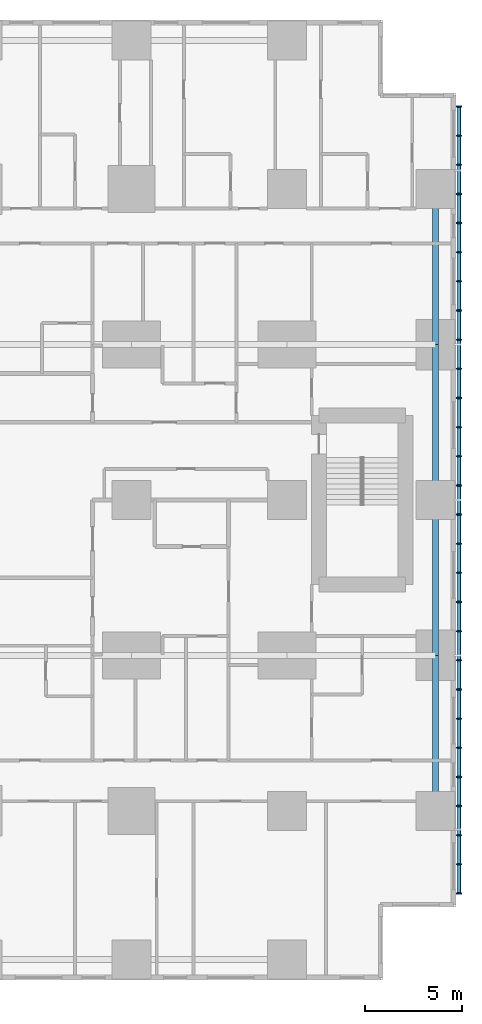
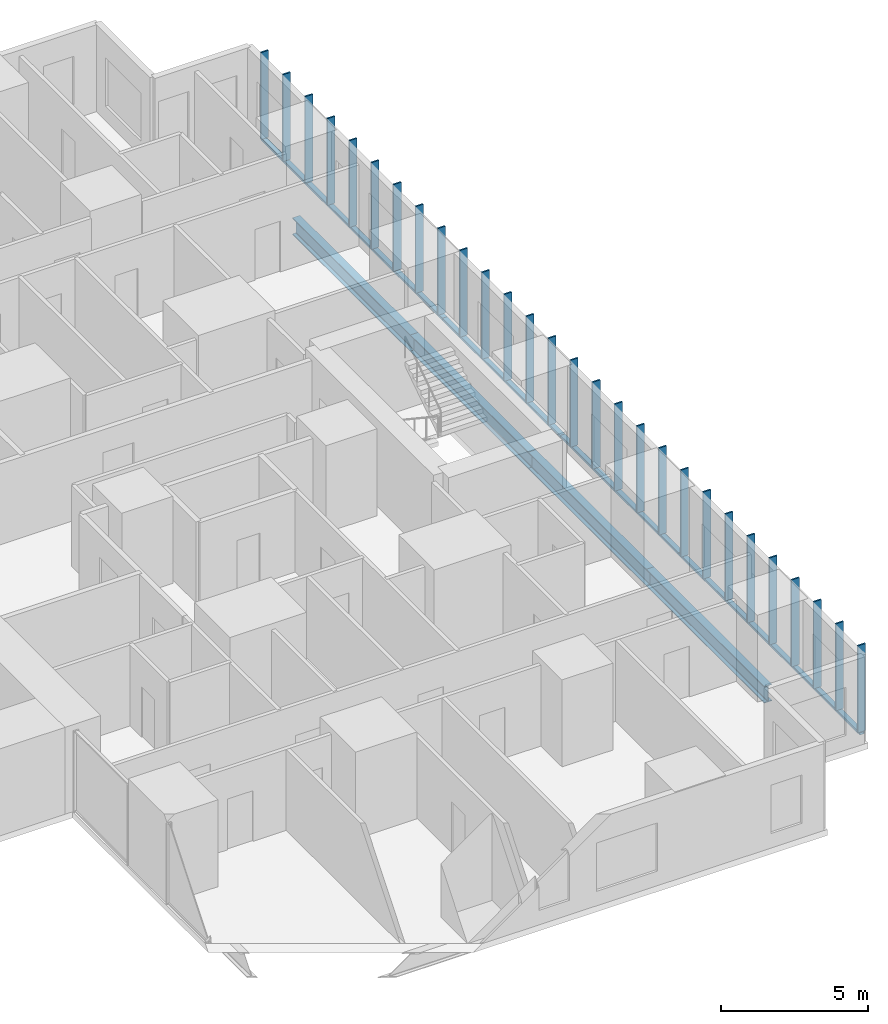
# One storey, part 6 of 21: 32 members, 4 beams.
"""IFC4 building model written with IfcOpenShell, lengths in metres."""

from ifc_helpers import new_model, si_unit, direction, frame, origin, origin_2d, place, context, subcontext, project, spatial, rectangle, hollow_rectangle, i_section, extrude, material, material_profile, profile_set, type_object, element, save


model = new_model("IFC4")

# Units and contexts
model_context = context("Model", 3, precision=1e-05, world=origin(), true_north=direction((0.0, 1.0)))
body_context = subcontext(model_context, "Body", "Model", "MODEL_VIEW")
ifc_project = project(units=[si_unit("LENGTHUNIT", "METRE"), si_unit("AREAUNIT", "SQUARE_METRE"), si_unit("VOLUMEUNIT", "CUBIC_METRE"), si_unit("PLANEANGLEUNIT", "RADIAN"), si_unit("MASSUNIT", "GRAM", prefix="KILO")], contexts=[model_context])

# Site, building, storey
site_placement = place(None, origin())
site = spatial("IfcSite", under=ifc_project, at=site_placement, CompositionType="ELEMENT")
building_placement = place(site_placement, origin())
building = spatial("IfcBuilding", under=site, at=building_placement, Name="Cleftline Residences", CompositionType="ELEMENT")
storey_placement = place(building_placement, frame((0.0, 0.0, 65.60009765625)))
storey = spatial("IfcBuildingStorey", under=building, at=storey_placement, Name="L16", CompositionType="ELEMENT", Elevation=65.60009765625)

# Members
ifc_material_1 = material(Name="Steel S355, hot-dip galvanised", Category="steel")
ifc_material_profile_1 = material_profile(ifc_material_1, hollow_rectangle(XDim=0.10009765625, YDim=0.199951171875, WallThickness=0.008056640625, InnerFilletRadius=0.008056640625, OuterFilletRadius=0.011962890625, at=origin_2d()))
ifc_profile_set_1 = profile_set([ifc_material_profile_1], Name="Steel S355, hot-dip galvanised")
member_type_1 = type_object("IfcMemberType", Name="BAGUETTE CARRIER RHS 200X100X8", PredefinedType="USERDEFINED", material=ifc_profile_set_1)
member_1_placement = place(storey_placement, frame((66.85009765625, 3.699951171875, -0.050048828125), z_axis=(0.0, 1.0, 0.0), x_axis=(0.0, 0.0, 1.0)))
element("IfcMember", 1, at=member_1_placement, inside=storey, type_object=member_type_1, Name="Baguette carrier", ObjectType="BAGUETTE CARRIER", PredefinedType="USERDEFINED", context=body_context, shape_type="SweptSolid", body=[
    extrude(hollow_rectangle(XDim=0.10009765625, YDim=0.199951171875, WallThickness=0.008056640625, InnerFilletRadius=0.008056640625, OuterFilletRadius=0.011962890625, at=origin_2d()), origin(), (0.0, 0.0, 1.0), 12.300048828125),
])
for number, where, z_axis, x_axis, name in (
    (2, (66.85009765625, 16.0, -0.050048828125), (0.0, 1.0, 0.0), (0.0, 0.0, 1.0), "Baguette carrier"),
    (3, (66.85009765625, 24.0, -0.050048828125), (0.0, 1.0, 0.0), (0.0, 0.0, 1.0), "Baguette carrier"),
):
    element("IfcMember", number, at=place(storey_placement, frame(where, z_axis=z_axis, x_axis=x_axis)), inside=storey, type_object=member_type_1, Name=name, ObjectType="BAGUETTE CARRIER", PredefinedType="USERDEFINED", context=body_context, shape_type="SweptSolid", body=[
        extrude(hollow_rectangle(XDim=0.10009765625, YDim=0.199951171875, WallThickness=0.008056640625, InnerFilletRadius=0.008056640625, OuterFilletRadius=0.011962890625, at=origin_2d()), origin(), (0.0, 0.0, 1.0), 8.0),
    ])
member_2_placement = place(storey_placement, frame((66.85009765625, 32.0, -0.050048828125), z_axis=(0.0, 1.0, 0.0), x_axis=(0.0, 0.0, 1.0)))
element("IfcMember", 4, at=member_2_placement, inside=storey, type_object=member_type_1, Name="Baguette carrier", ObjectType="BAGUETTE CARRIER", PredefinedType="USERDEFINED", context=body_context, shape_type="SweptSolid", body=[
    extrude(hollow_rectangle(XDim=0.10009765625, YDim=0.199951171875, WallThickness=0.008056640625, InnerFilletRadius=0.008056640625, OuterFilletRadius=0.011962890625, at=origin_2d()), origin(), (0.0, 0.0, 1.0), 12.300048828125),
])

# Beams
ifc_material_2 = material(Name="Steel S355", Category="steel")
ifc_material_profile_2 = material_profile(ifc_material_2, i_section(OverallWidth=0.300048828125, OverallDepth=0.699951171875, WebThickness=0.01708984375, FlangeThickness=0.031982421875, FilletRadius=0.027099609375, at=origin_2d()))
ifc_profile_set_2 = profile_set([ifc_material_profile_2], Name="Steel S355")
beam_type = type_object("IfcBeamType", Name="BEAM HEB 700", PredefinedType="BEAM", material=ifc_profile_set_2)
for number, where, z_axis, x_axis, name in (
    (5, (65.64990234375, 8.0, -0.60009765625), (0.0, 1.0, 0.0), (-1.0, 0.0, 0.0), "Edge beam"),
    (6, (65.64990234375, 16.0, -0.60009765625), (0.0, 1.0, 0.0), (-1.0, 0.0, 0.0), "Edge beam"),
    (7, (65.64990234375, 24.0, -0.60009765625), (0.0, 1.0, 0.0), (-1.0, 0.0, 0.0), "Edge beam"),
    (8, (65.64990234375, 32.0, -0.60009765625), (0.0, 1.0, 0.0), (-1.0, 0.0, 0.0), "Edge beam"),
):
    element("IfcBeam", number, at=place(storey_placement, frame(where, z_axis=z_axis, x_axis=x_axis)), inside=storey, type_object=beam_type, Name=name, PredefinedType="BEAM", context=body_context, shape_type="SweptSolid", body=[
        extrude(i_section(OverallWidth=0.300048828125, OverallDepth=0.699951171875, WebThickness=0.01708984375, FlangeThickness=0.031982421875, FilletRadius=0.027099609375, at=origin_2d()), origin(), (0.0, 0.0, 1.0), 8.0),
    ])

# Members
ifc_material_3 = material(Name="Extruded terracotta", Category="masonry")
ifc_material_profile_3 = material_profile(ifc_material_3, rectangle(XDim=0.06005859375, YDim=0.300048828125, at=origin_2d()))
ifc_profile_set_3 = profile_set([ifc_material_profile_3], Name="Extruded terracotta")
member_type_2 = type_object("IfcMemberType", Name="TERRACOTTA BAGUETTE 60X300", PredefinedType="USERDEFINED", material=ifc_profile_set_3)
for number, where, z_axis, x_axis, name in (
    (9, (66.85009765625, 3.75, 0.0), (0.0, 0.0, 1.0), (0.0, 1.0, 0.0), "Terracotta baguette"),
    (10, (66.85009765625, 5.25, 0.0), (0.0, 0.0, 1.0), (0.0, 1.0, 0.0), "Terracotta baguette"),
    (11, (66.85009765625, 6.75, 0.0), (0.0, 0.0, 1.0), (0.0, 1.0, 0.0), "Terracotta baguette"),
    (12, (66.85009765625, 8.25, 0.0), (0.0, 0.0, 1.0), (0.0, 1.0, 0.0), "Terracotta baguette"),
    (13, (66.85009765625, 9.75, 0.0), (0.0, 0.0, 1.0), (0.0, 1.0, 0.0), "Terracotta baguette"),
    (14, (66.85009765625, 11.25, 0.0), (0.0, 0.0, 1.0), (0.0, 1.0, 0.0), "Terracotta baguette"),
    (15, (66.85009765625, 12.75, 0.0), (0.0, 0.0, 1.0), (0.0, 1.0, 0.0), "Terracotta baguette"),
    (16, (66.85009765625, 14.25, 0.0), (0.0, 0.0, 1.0), (0.0, 1.0, 0.0), "Terracotta baguette"),
    (17, (66.85009765625, 15.75, 0.0), (0.0, 0.0, 1.0), (0.0, 1.0, 0.0), "Terracotta baguette"),
    (18, (66.85009765625, 17.25, 0.0), (0.0, 0.0, 1.0), (0.0, 1.0, 0.0), "Terracotta baguette"),
    (19, (66.85009765625, 18.75, 0.0), (0.0, 0.0, 1.0), (0.0, 1.0, 0.0), "Terracotta baguette"),
    (20, (66.85009765625, 20.25, 0.0), (0.0, 0.0, 1.0), (0.0, 1.0, 0.0), "Terracotta baguette"),
    (21, (66.85009765625, 21.75, 0.0), (0.0, 0.0, 1.0), (0.0, 1.0, 0.0), "Terracotta baguette"),
    (22, (66.85009765625, 23.25, 0.0), (0.0, 0.0, 1.0), (0.0, 1.0, 0.0), "Terracotta baguette"),
    (23, (66.85009765625, 24.75, 0.0), (0.0, 0.0, 1.0), (0.0, 1.0, 0.0), "Terracotta baguette"),
    (24, (66.85009765625, 26.25, 0.0), (0.0, 0.0, 1.0), (0.0, 1.0, 0.0), "Terracotta baguette"),
    (25, (66.85009765625, 27.75, 0.0), (0.0, 0.0, 1.0), (0.0, 1.0, 0.0), "Terracotta baguette"),
    (26, (66.85009765625, 29.25, 0.0), (0.0, 0.0, 1.0), (0.0, 1.0, 0.0), "Terracotta baguette"),
    (27, (66.85009765625, 30.75, 0.0), (0.0, 0.0, 1.0), (0.0, 1.0, 0.0), "Terracotta baguette"),
    (28, (66.85009765625, 32.25, 0.0), (0.0, 0.0, 1.0), (0.0, 1.0, 0.0), "Terracotta baguette"),
    (29, (66.85009765625, 33.75, 0.0), (0.0, 0.0, 1.0), (0.0, 1.0, 0.0), "Terracotta baguette"),
    (30, (66.85009765625, 35.25, 0.0), (0.0, 0.0, 1.0), (0.0, 1.0, 0.0), "Terracotta baguette"),
    (31, (66.85009765625, 36.75, 0.0), (0.0, 0.0, 1.0), (0.0, 1.0, 0.0), "Terracotta baguette"),
    (32, (66.85009765625, 38.25, 0.0), (0.0, 0.0, 1.0), (0.0, 1.0, 0.0), "Terracotta baguette"),
    (33, (66.85009765625, 39.75, 0.0), (0.0, 0.0, 1.0), (0.0, 1.0, 0.0), "Terracotta baguette"),
    (34, (66.85009765625, 41.25, 0.0), (0.0, 0.0, 1.0), (0.0, 1.0, 0.0), "Terracotta baguette"),
    (35, (66.85009765625, 42.75, 0.0), (0.0, 0.0, 1.0), (0.0, 1.0, 0.0), "Terracotta baguette"),
    (36, (66.85009765625, 44.25, 0.0), (0.0, 0.0, 1.0), (0.0, 1.0, 0.0), "Terracotta baguette"),
):
    element("IfcMember", number, at=place(storey_placement, frame(where, z_axis=z_axis, x_axis=x_axis)), inside=storey, type_object=member_type_2, Name=name, ObjectType="BAGUETTE", PredefinedType="USERDEFINED", context=body_context, shape_type="SweptSolid", body=[
        extrude(rectangle(XDim=0.06005859375, YDim=0.300048828125, at=origin_2d()), origin(), (0.0, 0.0, 1.0), 3.599853515625),
    ])

save(model, "model.ifc")
